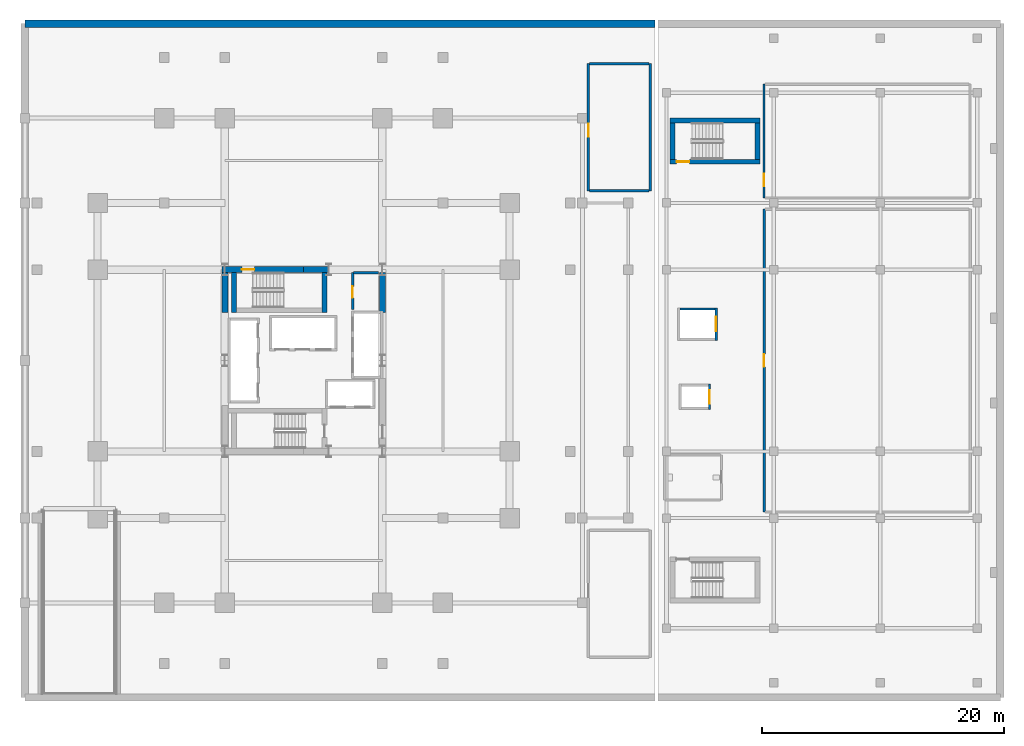
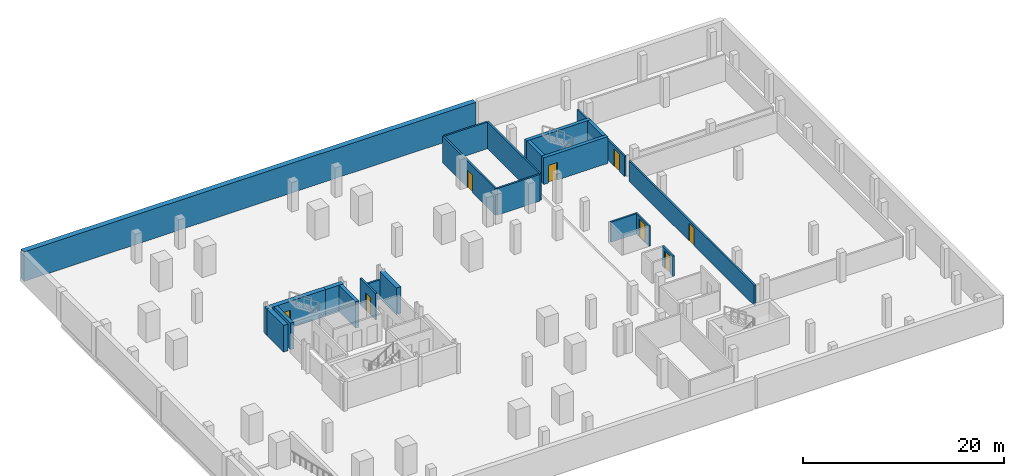
# One storey, part 5 of 11: 22 walls, 8 doors, 8 openings.
"""IFC4 building model written with IfcOpenShell, lengths in metres."""

from ifc_helpers import new_model, si_unit, direction, frame, frame_2d, origin, place, context, subcontext, project, spatial, rectangle, extrude, material, layer, layer_set, type_object, element, fill, save


model = new_model("IFC4")

# Units and contexts
model_context = context("Model", 3, precision=1e-05, world=origin(), true_north=direction((0.0, 1.0)))
body_context = subcontext(model_context, "Body", "Model", "MODEL_VIEW")
ifc_project = project(units=[si_unit("LENGTHUNIT", "METRE"), si_unit("AREAUNIT", "SQUARE_METRE"), si_unit("VOLUMEUNIT", "CUBIC_METRE"), si_unit("PLANEANGLEUNIT", "RADIAN"), si_unit("MASSUNIT", "GRAM", prefix="KILO")], contexts=[model_context])

# Site, building, storey
site_placement = place(None, origin())
site = spatial("IfcSite", under=ifc_project, at=site_placement, CompositionType="ELEMENT")
building_placement = place(site_placement, origin())
building = spatial("IfcBuilding", under=site, at=building_placement, Name="Barlavira Tower and Art Museum", CompositionType="ELEMENT")
storey_placement = place(building_placement, frame((0.0, 0.0, -3.60009765625)))
storey = spatial("IfcBuildingStorey", under=building, at=storey_placement, Name="B01", CompositionType="ELEMENT", Elevation=-3.60009765625)

# Wall, opening, door
ifc_material_1 = material(Name="Concrete C60", Category="concrete")
ifc_layer_1 = layer(ifc_material_1, 0.5, Name="Concrete C60")
ifc_layer_set_1 = layer_set([ifc_layer_1], Name="Concrete C60")
wall_type_1 = type_object("IfcWallType", Name="Core Structural Shear Wall 500 Concrete C60", PredefinedType="SHEAR", material=ifc_layer_set_1)
wall_1_placement = place(storey_placement, frame((-6.75, 7.5, 0.0), z_axis=(0.0, 0.0, 1.0), x_axis=(1.0, 0.0, 0.0)))
wall_1 = element("IfcWall", 1, at=wall_1_placement, inside=storey, type_object=wall_type_1, Name="B01 Core Shear Wall CS-NW", PredefinedType="SHEAR", context=body_context, shape_type="SweptSolid", body=[
    extrude(rectangle(XDim=6.75, YDim=0.5, at=frame_2d((3.375, 0.0))), origin(), (0.0, 0.0, 1.0), 3.25),
])
opening_1_placement = place(wall_1_placement, frame((1.64990234375, 0.0, 0.0)))
opening_1 = element("IfcOpeningElement", 2, at=opening_1_placement, cuts=wall_1, Name="Opening FD-90", PredefinedType="OPENING", context=body_context, shape_type="SweptSolid", body=[
    extrude(rectangle(XDim=1.050048828125, YDim=2.14990234375, at=frame_2d((0.52490234375, 1.074951171875))), frame((0.0, 0.260009765625, 0.0), z_axis=(0.0, -1.0, 0.0), x_axis=(1.0, 0.0, 0.0)), (0.0, 0.0, 1.0), 0.52001953125),
])
ifc_material_2 = material(Name="Brushed stainless steel", Category="steel")
door_type_1 = type_object("IfcDoorType", Name="Stair and Refuge Fire Door 1050x2150 FD90S", OperationType="NOTDEFINED", PredefinedType="DOOR", material=ifc_material_2)
door_1_placement = place(opening_1_placement, origin())
door_1 = element("IfcDoor", 3, at=door_1_placement, inside=storey, type_object=door_type_1, Name="B01 Stair ST-T2 Fire Door", OperationType="SINGLE_SWING_LEFT", OverallHeight=2.14990234375, OverallWidth=1.050048828125, PredefinedType="DOOR", context=body_context, shape_type="SweptSolid", body=[
    extrude(rectangle(XDim=1.050048828125, YDim=2.14990234375, at=frame_2d((0.52490234375, 1.074951171875))), frame((0.0, 0.02490234375, 0.0), z_axis=(0.0, -1.0, 0.0), x_axis=(1.0, 0.0, 0.0)), (0.0, 0.0, 1.0), 0.050048828125),
])
fill(opening_1, door_1)

# Walls
wall_2_placement = place(storey_placement, frame((0.0, 7.5, 0.0), z_axis=(0.0, 0.0, 1.0), x_axis=(1.0, 0.0, 0.0)))
element("IfcWall", 4, at=wall_2_placement, inside=storey, type_object=wall_type_1, Name="B01 Core Shear Wall CS-EN", PredefinedType="SHEAR", context=body_context, shape_type="SweptSolid", body=[
    extrude(rectangle(XDim=2.080078125, YDim=0.5, at=frame_2d((1.0400390625, 0.0))), origin(), (0.0, 0.0, 1.0), 3.25),
])
for number, where, z_axis, x_axis, name in (
    (5, (-6.5, 3.949951171875, 0.0), (0.0, 0.0, 1.0), (0.0, 1.0, 0.0), "B01 Core Shear Wall CS-W2"),
    (6, (6.5, 3.949951171875, 0.0), (0.0, 0.0, 1.0), (0.0, 1.0, 0.0), "B01 Core Shear Wall CS-E2"),
):
    element("IfcWall", number, at=place(storey_placement, frame(where, z_axis=z_axis, x_axis=x_axis)), inside=storey, type_object=wall_type_1, Name=name, PredefinedType="SHEAR", context=body_context, shape_type="SweptSolid", body=[
        extrude(rectangle(XDim=3.300048828125, YDim=0.5, at=frame_2d((1.64990234375, 0.0))), origin(), (0.0, 0.0, 1.0), 3.25),
    ])

# Wall, opening, door
ifc_material_3 = material(Name="Autoclaved aerated concrete masonry", Category="masonry")
ifc_layer_2 = layer(ifc_material_3, 0.199951171875, Name="Autoclaved aerated concrete masonry")
ifc_layer_set_2 = layer_set([ifc_layer_2], Name="Autoclaved aerated concrete masonry")
wall_type_2 = type_object("IfcWallType", Name="Fire Compartment and Shaft Wall 200", PredefinedType="SOLIDWALL", material=ifc_layer_set_2)
wall_3_placement = place(storey_placement, frame((33.5, -4.050048828125, 0.0), z_axis=(0.0, 0.0, 1.0), x_axis=(0.0, 1.0, 0.0)))
wall_3 = element("IfcWall", 7, at=wall_3_placement, inside=storey, type_object=wall_type_2, Name="B01 Museum Lift ML1 Front Wall", PredefinedType="SOLIDWALL", context=body_context, shape_type="SweptSolid", body=[
    extrude(rectangle(XDim=2.10009765625, YDim=0.199951171875, at=frame_2d((1.050048828125, 0.0))), origin(), (0.0, 0.0, 1.0), 2.467041015625),
])
opening_2_placement = place(wall_3_placement, frame((0.5, 0.0, 0.0)))
opening_2 = element("IfcOpeningElement", 8, at=opening_2_placement, cuts=wall_3, Name="Opening LD-P", PredefinedType="OPENING", context=body_context, shape_type="SweptSolid", body=[
    extrude(rectangle(XDim=1.10009765625, YDim=2.14990234375, at=frame_2d((0.550048828125, 1.074951171875))), frame((0.0, 0.10986328125, 0.0), z_axis=(0.0, -1.0, 0.0), x_axis=(1.0, 0.0, 0.0)), (0.0, 0.0, 1.0), 0.219970703125),
])
door_type_2 = type_object("IfcDoorType", Name="Passenger Lift Sliding Landing Door 1100x2150 FD60", OperationType="NOTDEFINED", PredefinedType="DOOR", material=ifc_material_2)
door_2_placement = place(opening_2_placement, origin())
door_2 = element("IfcDoor", 9, at=door_2_placement, inside=storey, type_object=door_type_2, Name="B01 Museum Lift ML1 Sliding Landing Door", OperationType="DOUBLE_DOOR_SLIDING", OverallHeight=2.14990234375, OverallWidth=1.10009765625, PredefinedType="DOOR", context=body_context, shape_type="SweptSolid", body=[
    extrude(rectangle(XDim=1.10009765625, YDim=2.14990234375, at=frame_2d((0.550048828125, 1.074951171875))), frame((0.0, 0.02490234375, 0.0), z_axis=(0.0, -1.0, 0.0), x_axis=(1.0, 0.0, 0.0)), (0.0, 0.0, 1.0), 0.050048828125),
])
fill(opening_2, door_2)

wall_4_placement = place(storey_placement, frame((34.050048828125, 1.64990234375, 0.0), z_axis=(0.0, 0.0, 1.0), x_axis=(0.0, 1.0, 0.0)))
wall_4 = element("IfcWall", 10, at=wall_4_placement, inside=storey, type_object=wall_type_2, Name="B01 Museum Lift MG1 Front Wall", PredefinedType="SOLIDWALL", context=body_context, shape_type="SweptSolid", body=[
    extrude(rectangle(XDim=2.7001953125, YDim=0.199951171875, at=frame_2d((1.35009765625, 0.0))), origin(), (0.0, 0.0, 1.0), 2.467041015625),
])
opening_3_placement = place(wall_4_placement, frame((0.75, 0.0, 0.0)))
opening_3 = element("IfcOpeningElement", 11, at=opening_3_placement, cuts=wall_4, Name="Opening LD-F", PredefinedType="OPENING", context=body_context, shape_type="SweptSolid", body=[
    extrude(rectangle(XDim=1.199951171875, YDim=2.199951171875, at=frame_2d((0.60009765625, 1.10009765625))), frame((0.0, 0.10986328125, 0.0), z_axis=(0.0, -1.0, 0.0), x_axis=(1.0, 0.0, 0.0)), (0.0, 0.0, 1.0), 0.219970703125),
])
door_type_3 = type_object("IfcDoorType", Name="Firefighting and Service Lift Sliding Door 1200x2200 FD120", OperationType="NOTDEFINED", PredefinedType="DOOR", material=ifc_material_2)
door_3_placement = place(opening_3_placement, origin())
door_3 = element("IfcDoor", 12, at=door_3_placement, inside=storey, type_object=door_type_3, Name="B01 Museum Lift MG1 Sliding Landing Door", OperationType="DOUBLE_DOOR_SLIDING", OverallHeight=2.199951171875, OverallWidth=1.199951171875, PredefinedType="DOOR", context=body_context, shape_type="SweptSolid", body=[
    extrude(rectangle(XDim=1.199951171875, YDim=2.199951171875, at=frame_2d((0.60009765625, 1.10009765625))), frame((0.0, 0.02490234375, 0.0), z_axis=(0.0, -1.0, 0.0), x_axis=(1.0, 0.0, 0.0)), (0.0, 0.0, 1.0), 0.050048828125),
])
fill(opening_3, door_3)

# Wall
wall_5_placement = place(storey_placement, frame((31.050048828125, 4.25, 0.0), z_axis=(0.0, 0.0, 1.0), x_axis=(1.0, 0.0, 0.0)))
element("IfcWall", 13, at=wall_5_placement, inside=storey, type_object=wall_type_2, Name="B01 Museum Lift MG1 North Wall", PredefinedType="SOLIDWALL", context=body_context, shape_type="SweptSolid", body=[
    extrude(rectangle(XDim=2.89990234375, YDim=0.199951171875, at=frame_2d((1.449951171875, 0.0))), origin(), (0.0, 0.0, 1.0), 2.467041015625),
])

# Wall, opening, door
wall_6_placement = place(storey_placement, frame((4.050048828125, 4.199951171875, 0.0), z_axis=(0.0, 0.0, 1.0), x_axis=(0.0, 1.0, 0.0)))
wall_6 = element("IfcWall", 14, at=wall_6_placement, inside=storey, type_object=wall_type_2, Name="B01 Partition Wall 1", PredefinedType="SOLIDWALL", context=body_context, shape_type="SweptSolid", body=[
    extrude(rectangle(XDim=3.050048828125, YDim=0.199951171875, at=frame_2d((1.52490234375, 0.0))), origin(), (0.0, 0.0, 1.0), 3.25),
])
opening_4_placement = place(wall_6_placement, frame((0.97509765625, 0.0, 0.0)))
opening_4 = element("IfcOpeningElement", 15, at=opening_4_placement, cuts=wall_6, Name="Opening FD-60", PredefinedType="OPENING", context=body_context, shape_type="SweptSolid", body=[
    extrude(rectangle(XDim=0.949951171875, YDim=2.14990234375, at=frame_2d((0.47509765625, 1.074951171875))), frame((0.0, 0.10986328125, 0.0), z_axis=(0.0, -1.0, 0.0), x_axis=(1.0, 0.0, 0.0)), (0.0, 0.0, 1.0), 0.219970703125),
])
door_type_4 = type_object("IfcDoorType", Name="Apartment Entrance and Riser Fire Door 950x2150 FD60S", OperationType="NOTDEFINED", PredefinedType="DOOR", material=ifc_material_2)
door_4_placement = place(opening_4_placement, origin())
door_4 = element("IfcDoor", 16, at=door_4_placement, inside=storey, type_object=door_type_4, Name="Combined Electrical and Telecom Plant Room Door", OperationType="SINGLE_SWING_RIGHT", OverallHeight=2.14990234375, OverallWidth=0.949951171875, PredefinedType="DOOR", context=body_context, shape_type="SweptSolid", body=[
    extrude(rectangle(XDim=0.949951171875, YDim=2.14990234375, at=frame_2d((0.47509765625, 1.074951171875))), frame((0.0, 0.02490234375, 0.0), z_axis=(0.0, -1.0, 0.0), x_axis=(1.0, 0.0, 0.0)), (0.0, 0.0, 1.0), 0.050048828125),
])
fill(opening_4, door_4)

wall_7_placement = place(storey_placement, frame((23.5, 14.0, 0.0), z_axis=(0.0, 0.0, 1.0), x_axis=(0.0, 1.0, 0.0)))
wall_7 = element("IfcWall", 17, at=wall_7_placement, inside=storey, type_object=wall_type_2, Name="B01 Partition Wall 3", PredefinedType="SOLIDWALL", context=body_context, shape_type="SweptSolid", body=[
    extrude(rectangle(XDim=10.5, YDim=0.199951171875, at=frame_2d((5.25, 0.0))), origin(), (0.0, 0.0, 1.0), 3.25),
])
opening_5_placement = place(wall_7_placement, frame((4.47509765625, 0.0, 0.0)))
opening_5 = element("IfcOpeningElement", 18, at=opening_5_placement, cuts=wall_7, Name="Opening FD-90", PredefinedType="OPENING", context=body_context, shape_type="SweptSolid", body=[
    extrude(rectangle(XDim=1.050048828125, YDim=2.14990234375, at=frame_2d((0.52490234375, 1.074951171875))), frame((0.0, 0.10986328125, 0.0), z_axis=(0.0, -1.0, 0.0), x_axis=(1.0, 0.0, 0.0)), (0.0, 0.0, 1.0), 0.219970703125),
])
door_5_placement = place(opening_5_placement, origin())
door_5 = element("IfcDoor", 19, at=door_5_placement, inside=storey, type_object=door_type_1, Name="B01 Standby Diesel Generator Plant Room Door", OperationType="SINGLE_SWING_RIGHT", OverallHeight=2.14990234375, OverallWidth=1.050048828125, PredefinedType="DOOR", context=body_context, shape_type="SweptSolid", body=[
    extrude(rectangle(XDim=1.050048828125, YDim=2.14990234375, at=frame_2d((0.52490234375, 1.074951171875))), frame((0.0, 0.02490234375, 0.0), z_axis=(0.0, -1.0, 0.0), x_axis=(1.0, 0.0, 0.0)), (0.0, 0.0, 1.0), 0.050048828125),
])
fill(opening_5, door_5)

# Wall
wall_8_placement = place(storey_placement, frame((28.60009765625, 14.0, 0.0), z_axis=(0.0, 0.0, 1.0), x_axis=(0.0, 1.0, 0.0)))
element("IfcWall", 20, at=wall_8_placement, inside=storey, type_object=wall_type_2, Name="B01 Partition Wall 5", PredefinedType="SOLIDWALL", context=body_context, shape_type="SweptSolid", body=[
    extrude(rectangle(XDim=10.5, YDim=0.199951171875, at=frame_2d((5.25, 0.0))), origin(), (0.0, 0.0, 1.0), 3.25),
])

# Wall, opening, door
wall_9_placement = place(storey_placement, frame((38.0, -12.5, 0.0), z_axis=(0.0, 0.0, 1.0), x_axis=(0.0, 1.0, 0.0)))
wall_9 = element("IfcWall", 21, at=wall_9_placement, inside=storey, type_object=wall_type_2, Name="B01 Partition Wall 8", PredefinedType="SOLIDWALL", context=body_context, shape_type="SweptSolid", body=[
    extrude(rectangle(XDim=25.0, YDim=0.199951171875, at=frame_2d((12.5, 0.0))), origin(), (0.0, 0.0, 1.0), 2.467041015625),
])
opening_6_placement = place(wall_9_placement, frame((11.97509765625, 0.0, 0.0)))
opening_6 = element("IfcOpeningElement", 22, at=opening_6_placement, cuts=wall_9, Name="Opening FD-90", PredefinedType="OPENING", context=body_context, shape_type="SweptSolid", body=[
    extrude(rectangle(XDim=1.050048828125, YDim=2.14990234375, at=frame_2d((0.52490234375, 1.074951171875))), frame((0.0, 0.10986328125, 0.0), z_axis=(0.0, -1.0, 0.0), x_axis=(1.0, 0.0, 0.0)), (0.0, 0.0, 1.0), 0.219970703125),
])
door_6_placement = place(opening_6_placement, origin())
door_6 = element("IfcDoor", 23, at=door_6_placement, inside=storey, type_object=door_type_1, Name="B01 Climate-Controlled Art Collection Archive Door", OperationType="SINGLE_SWING_LEFT", OverallHeight=2.14990234375, OverallWidth=1.050048828125, PredefinedType="DOOR", context=body_context, shape_type="SweptSolid", body=[
    extrude(rectangle(XDim=1.050048828125, YDim=2.14990234375, at=frame_2d((0.52490234375, 1.074951171875))), frame((0.0, 0.02490234375, 0.0), z_axis=(0.0, -1.0, 0.0), x_axis=(1.0, 0.0, 0.0)), (0.0, 0.0, 1.0), 0.050048828125),
])
fill(opening_6, door_6)

# Walls
wall_10_placement = place(storey_placement, frame((4.1298828125, 7.25, 0.0), z_axis=(0.0, 0.0, 1.0), x_axis=(1.0, 0.0, 0.0)))
element("IfcWall", 24, at=wall_10_placement, inside=storey, type_object=wall_type_2, Name="B01 Partition Wall 17", PredefinedType="SOLIDWALL", context=body_context, shape_type="SweptSolid", body=[
    extrude(rectangle(XDim=2.070068359375, YDim=0.199951171875, at=frame_2d((1.03515625, 0.0))), origin(), (0.0, 0.0, 1.0), 2.335205078125),
])
for number, where, z_axis, x_axis, name in (
    (25, (23.580078125, 14.0, 0.0), (0.0, 0.0, 1.0), (1.0, 0.0, 0.0), "B01 Partition Wall 20"),
    (26, (23.580078125, 24.5, 0.0), (0.0, 0.0, 1.0), (1.0, 0.0, 0.0), "B01 Partition Wall 22"),
):
    element("IfcWall", number, at=place(storey_placement, frame(where, z_axis=z_axis, x_axis=x_axis)), inside=storey, type_object=wall_type_2, Name=name, PredefinedType="SOLIDWALL", context=body_context, shape_type="SweptSolid", body=[
        extrude(rectangle(XDim=4.93994140625, YDim=0.199951171875, at=frame_2d((2.469970703125, 0.0))), origin(), (0.0, 0.0, 1.0), 3.25),
    ])

# Wall, opening, door
ifc_material_4 = material(Name="Gypsum acoustic stud partition", Category="gypsum")
ifc_layer_3 = layer(ifc_material_4, 0.179931640625, Name="Gypsum acoustic stud partition")
ifc_layer_set_3 = layer_set([ifc_layer_3], Name="Gypsum acoustic stud partition")
wall_type_3 = type_object("IfcWallType", Name="Inter-Tenancy Party Partition Wall 180", PredefinedType="PARTITIONING", material=ifc_layer_set_3)
wall_11_placement = place(storey_placement, frame((38.0, 13.39990234375, 0.0), z_axis=(0.0, 0.0, 1.0), x_axis=(0.0, 1.0, 0.0)))
wall_11 = element("IfcWall", 27, at=wall_11_placement, inside=storey, type_object=wall_type_3, Name="B01 Partition Wall 9", PredefinedType="PARTITIONING", context=body_context, shape_type="SweptSolid", body=[
    extrude(rectangle(XDim=9.400146484375, YDim=0.179931640625, at=frame_2d((4.7001953125, 0.0))), origin(), (0.0, 0.0, 1.0), 2.467041015625),
])
opening_7_placement = place(wall_11_placement, frame((0.97509765625, 0.0, 0.0)))
opening_7 = element("IfcOpeningElement", 28, at=opening_7_placement, cuts=wall_11, Name="Opening FD-90", PredefinedType="OPENING", context=body_context, shape_type="SweptSolid", body=[
    extrude(rectangle(XDim=1.050048828125, YDim=2.14990234375, at=frame_2d((0.52490234375, 1.074951171875))), frame((0.0, 0.10009765625, 0.0), z_axis=(0.0, -1.0, 0.0), x_axis=(1.0, 0.0, 0.0)), (0.0, 0.0, 1.0), 0.199951171875),
])
door_7_placement = place(opening_7_placement, origin())
door_7 = element("IfcDoor", 29, at=door_7_placement, inside=storey, type_object=door_type_1, Name="B01 Art Conservation and Framing Laboratory Door", OperationType="SINGLE_SWING_RIGHT", OverallHeight=2.14990234375, OverallWidth=1.050048828125, PredefinedType="DOOR", context=body_context, shape_type="SweptSolid", body=[
    extrude(rectangle(XDim=1.050048828125, YDim=2.14990234375, at=frame_2d((0.52490234375, 1.074951171875))), frame((0.0, 0.02490234375, 0.0), z_axis=(0.0, -1.0, 0.0), x_axis=(1.0, 0.0, 0.0)), (0.0, 0.0, 1.0), 0.050048828125),
])
fill(opening_7, door_7)

# Walls
ifc_material_5 = material(Name="Concrete C50", Category="concrete")
ifc_layer_4 = layer(ifc_material_5, 0.60009765625, Name="Concrete C50")
ifc_layer_set_4 = layer_set([ifc_layer_4], Name="Concrete C50")
wall_type_4 = type_object("IfcWallType", Name="Perimeter Basement Retaining Wall 600 Concrete C50", PredefinedType="USERDEFINED", material=ifc_layer_set_4)
wall_12_placement = place(storey_placement, frame((29.0, 27.800048828125, 0.0), z_axis=(0.0, 0.0, 1.0), x_axis=(-1.0, 0.0, 0.0)))
element("IfcWall", 30, at=wall_12_placement, inside=storey, type_object=wall_type_4, Name="B01 Retaining Wall NW", ObjectType="RETAININGWALL", PredefinedType="USERDEFINED", context=body_context, shape_type="SweptSolid", body=[
    extrude(rectangle(XDim=52.0, YDim=0.60009765625, at=frame_2d((26.0, 0.0))), origin(), (0.0, 0.0, 1.0), 3.60009765625),
])
ifc_material_6 = material(Name="Concrete C55", Category="concrete")
ifc_layer_5 = layer(ifc_material_6, 0.39990234375, Name="Concrete C55")
ifc_layer_set_5 = layer_set([ifc_layer_5], Name="Concrete C55")
wall_type_5 = type_object("IfcWallType", Name="Upper Core Shear Wall 400 Concrete C55", PredefinedType="SHEAR", material=ifc_layer_set_5)
for number, where, z_axis, x_axis, name in (
    (31, (1.72998046875, 3.949951171875, 0.0), (0.0, 0.0, 1.0), (0.0, 1.0, 0.0), "B01 ST-T2 East Half-Landing Wall"),
    (32, (-5.75, 3.949951171875, 0.0), (0.0, 0.0, 1.0), (0.0, 1.0, 0.0), "B01 ST-T2 West Shaft Wall"),
):
    element("IfcWall", number, at=place(storey_placement, frame(where, z_axis=z_axis, x_axis=x_axis)), inside=storey, type_object=wall_type_5, Name=name, PredefinedType="SHEAR", context=body_context, shape_type="SweptSolid", body=[
        extrude(rectangle(XDim=3.300048828125, YDim=0.39990234375, at=frame_2d((1.64990234375, 0.0))), origin(), (0.0, 0.0, 1.0), 3.25),
    ])
wall_13_placement = place(storey_placement, frame((30.25, 19.800048828125, 0.0), z_axis=(0.0, 0.0, 1.0), x_axis=(1.0, 0.0, 0.0)))
element("IfcWall", 33, at=wall_13_placement, inside=storey, type_object=wall_type_5, Name="B01 ST-M2 North Shaft Wall", PredefinedType="SHEAR", context=body_context, shape_type="SweptSolid", body=[
    extrude(rectangle(XDim=7.39990234375, YDim=0.39990234375, at=frame_2d((3.699951171875, 0.0))), origin(), (0.0, 0.0, 1.0), 3.25),
])
for number, where, z_axis, x_axis, name in (
    (34, (37.449951171875, 16.60009765625, 0.0), (0.0, 0.0, 1.0), (0.0, 1.0, 0.0), "B01 ST-M2 East Half-Landing Wall"),
    (35, (30.449951171875, 16.60009765625, 0.0), (0.0, 0.0, 1.0), (0.0, 1.0, 0.0), "B01 ST-M2 West Shaft Wall"),
):
    element("IfcWall", number, at=place(storey_placement, frame(where, z_axis=z_axis, x_axis=x_axis)), inside=storey, type_object=wall_type_5, Name=name, PredefinedType="SHEAR", context=body_context, shape_type="SweptSolid", body=[
        extrude(rectangle(XDim=3.0, YDim=0.39990234375, at=frame_2d((1.5, 0.0))), origin(), (0.0, 0.0, 1.0), 3.25),
    ])

# Wall, opening, door
wall_14_placement = place(storey_placement, frame((37.64990234375, 16.39990234375, 0.0), z_axis=(0.0, 0.0, 1.0), x_axis=(-1.0, 0.0, 0.0)))
wall_14 = element("IfcWall", 36, at=wall_14_placement, inside=storey, type_object=wall_type_5, Name="B01 ST-M2 South Landing Wall", PredefinedType="SHEAR", context=body_context, shape_type="SweptSolid", body=[
    extrude(rectangle(XDim=7.39990234375, YDim=0.39990234375, at=frame_2d((3.699951171875, 0.0))), origin(), (0.0, 0.0, 1.0), 3.25),
])
opening_8_placement = place(wall_14_placement, frame((5.820068359375, 0.0, 0.0)))
opening_8 = element("IfcOpeningElement", 37, at=opening_8_placement, cuts=wall_14, Name="Opening FD-90", PredefinedType="OPENING", context=body_context, shape_type="SweptSolid", body=[
    extrude(rectangle(XDim=1.050048828125, YDim=2.14990234375, at=frame_2d((0.52490234375, 1.074951171875))), frame((0.0, 0.2099609375, 0.0), z_axis=(0.0, -1.0, 0.0), x_axis=(1.0, 0.0, 0.0)), (0.0, 0.0, 1.0), 0.419921875),
])
door_8_placement = place(opening_8_placement, origin())
door_8 = element("IfcDoor", 38, at=door_8_placement, inside=storey, type_object=door_type_1, Name="B01 Museum North Stair ST-M2 Fire Door", OperationType="SINGLE_SWING_RIGHT", OverallHeight=2.14990234375, OverallWidth=1.050048828125, PredefinedType="DOOR", context=body_context, shape_type="SweptSolid", body=[
    extrude(rectangle(XDim=1.050048828125, YDim=2.14990234375, at=frame_2d((0.52490234375, 1.074951171875))), frame((0.0, 0.02490234375, 0.0), z_axis=(0.0, -1.0, 0.0), x_axis=(1.0, 0.0, 0.0)), (0.0, 0.0, 1.0), 0.050048828125),
])
fill(opening_8, door_8)

save(model, "model.ifc")
